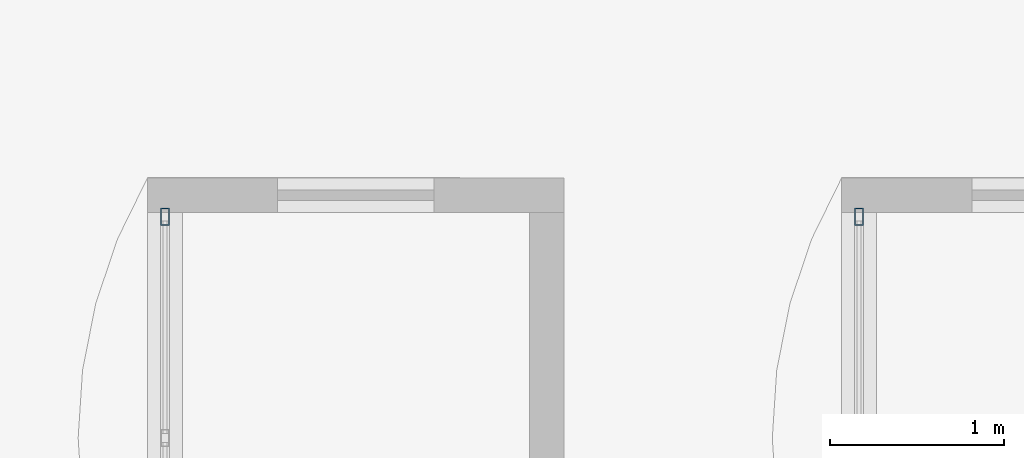
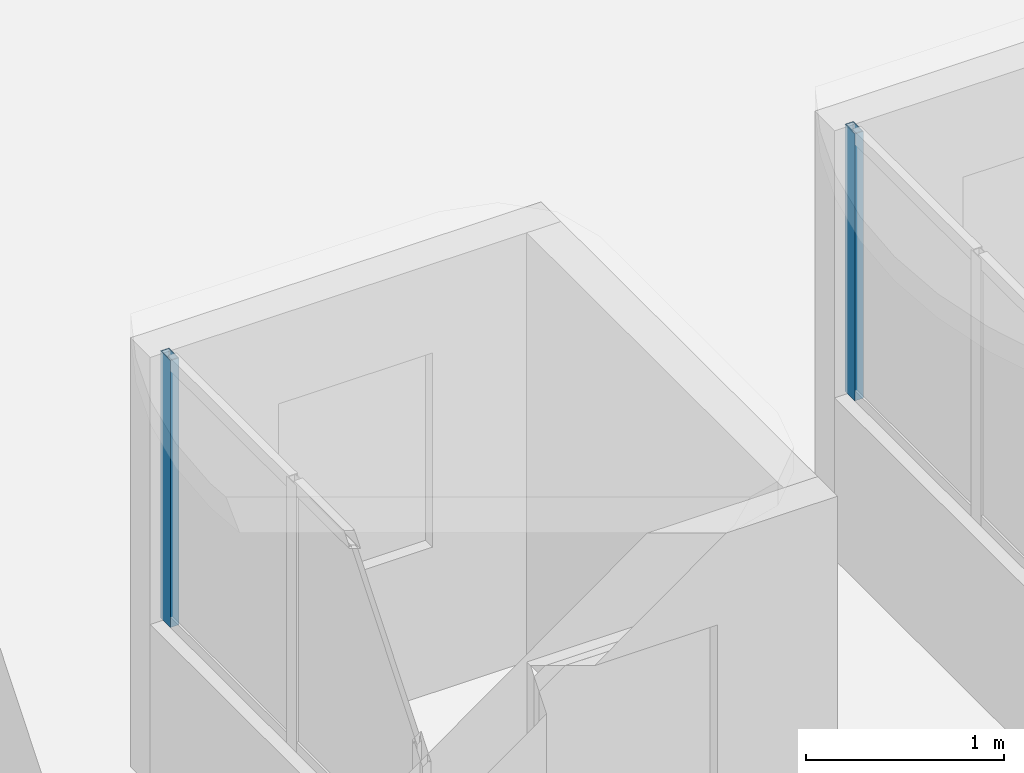
# One storey, part 83 of 212: 2 members, 2 elements without a shape of their own.
"""IFC4 building model written with IfcOpenShell, lengths in metres."""

from ifc_helpers import new_model, si_unit, direction, frame, origin, origin_2d, place, context, subcontext, project, spatial, hollow_rectangle, extrude, material, material_profile, profile_set, type_object, element, aggregate, save


model = new_model("IFC4")

# Units and contexts
model_context = context("Model", 3, precision=1e-05, world=origin(), true_north=direction((0.0, 1.0)))
body_context = subcontext(model_context, "Body", "Model", "MODEL_VIEW")
ifc_project = project(units=[si_unit("LENGTHUNIT", "METRE"), si_unit("AREAUNIT", "SQUARE_METRE"), si_unit("VOLUMEUNIT", "CUBIC_METRE"), si_unit("PLANEANGLEUNIT", "RADIAN"), si_unit("MASSUNIT", "GRAM", prefix="KILO")], contexts=[model_context])

# Site, building, storey
site_placement = place(None, origin())
site = spatial("IfcSite", under=ifc_project, at=site_placement, CompositionType="ELEMENT")
building_placement = place(site_placement, origin())
building = spatial("IfcBuilding", under=site, at=building_placement, Name="Catenary Quay Ferry Terminal", CompositionType="ELEMENT")
storey_placement = place(building_placement, origin())
storey = spatial("IfcBuildingStorey", under=building, at=storey_placement, Name="L00", CompositionType="ELEMENT", Elevation=0.0)

# Curtain wall, member
ifc_material_1 = material(Name="Aluminium and glass", Category="aluminium")
curtain_wall_type = type_object("IfcCurtainWallType", Name="CWV", PredefinedType="NOTDEFINED", material=ifc_material_1)
curtain_wall_1_placement = place(storey_placement, origin())
curtain_wall_1 = element("IfcCurtainWall", 1, at=curtain_wall_1_placement, inside=storey, type_object=curtain_wall_type, Name="Booth curtain wall CW167", PredefinedType="NOTDEFINED")
ifc_material_2 = material(Name="Aluminium", Category="aluminium")
ifc_material_profile = material_profile(ifc_material_2, hollow_rectangle(XDim=0.050048828125, YDim=0.10009765625, WallThickness=0.0048828125, at=origin_2d()), Name="MU1")
ifc_profile_set = profile_set([ifc_material_profile], Name="Aluminium")
member_type = type_object("IfcMemberType", Name="MU1", PredefinedType="MULLION", material=ifc_profile_set)
member_1_placement = place(storey_placement, frame((106.10009765625, 46.77490234375, 1.0), z_axis=(0.0, 0.0, 1.0), x_axis=(-1.0, 0.0, 0.0)))
member_1 = element("IfcMember", 2, at=member_1_placement, type_object=member_type, Name="CW167 mullion 3", PredefinedType="MULLION", context=body_context, shape_type="SweptSolid", body=[
    extrude(hollow_rectangle(XDim=0.050048828125, YDim=0.10009765625, WallThickness=0.0048828125, at=origin_2d()), origin(), (0.0, 0.0, 1.0), 1.64990234375),
])
aggregate(curtain_wall_1, [member_1])

curtain_wall_2_placement = place(storey_placement, origin())
curtain_wall_2 = element("IfcCurtainWall", 3, at=curtain_wall_2_placement, inside=storey, type_object=curtain_wall_type, Name="Booth curtain wall CW168", PredefinedType="NOTDEFINED")
member_2_placement = place(storey_placement, frame((110.10009765625, 46.77490234375, 1.0), z_axis=(0.0, 0.0, 1.0), x_axis=(-1.0, 0.0, 0.0)))
member_2 = element("IfcMember", 4, at=member_2_placement, type_object=member_type, Name="CW168 mullion 3", PredefinedType="MULLION", context=body_context, shape_type="SweptSolid", body=[
    extrude(hollow_rectangle(XDim=0.050048828125, YDim=0.10009765625, WallThickness=0.0048828125, at=origin_2d()), origin(), (0.0, 0.0, 1.0), 1.64990234375),
])
aggregate(curtain_wall_2, [member_2])

save(model, "model.ifc")
